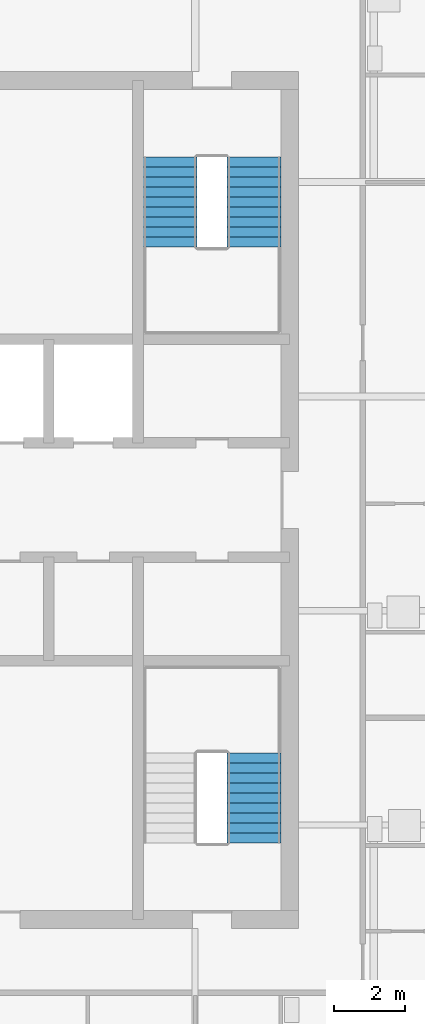
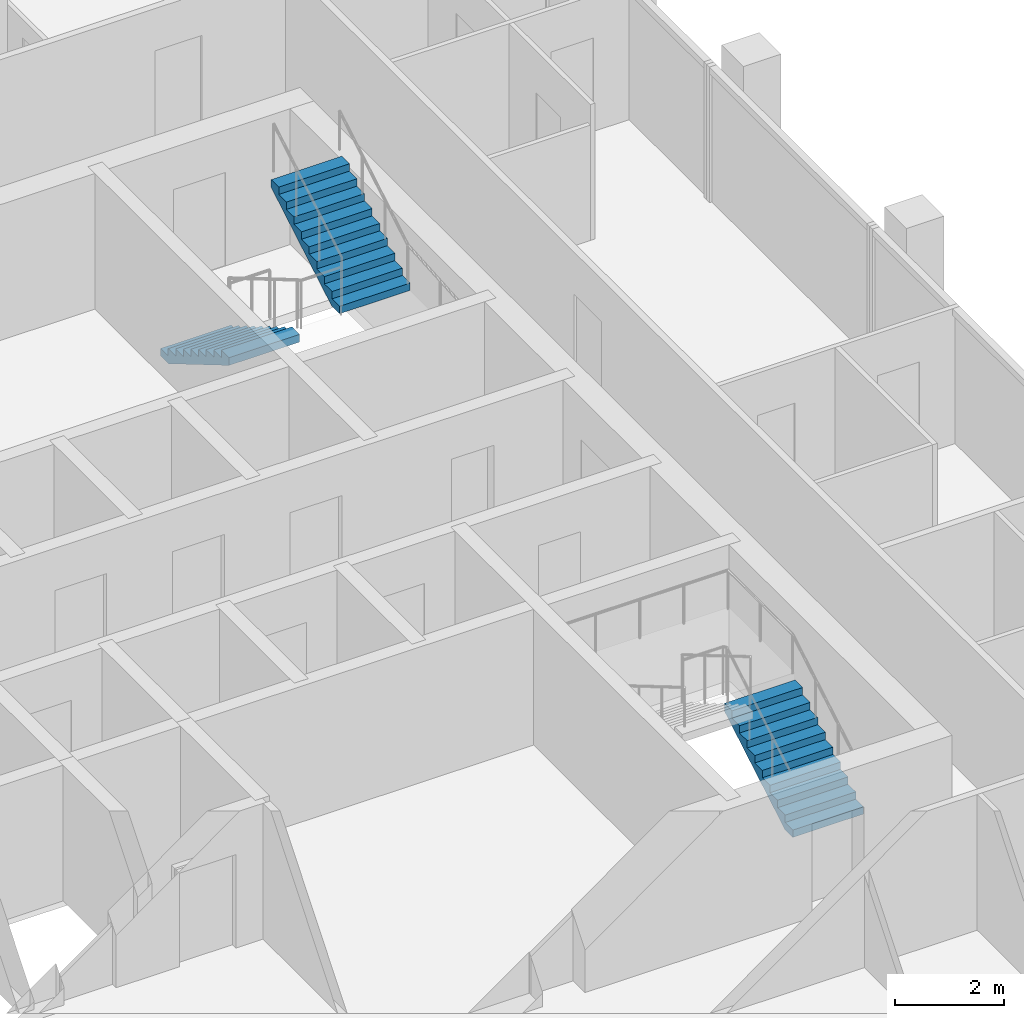
# One storey, part 11 of 13: 3 stair flights, 2 elements without a shape of their own.
"""IFC4 building model written with IfcOpenShell, lengths in metres."""

from ifc_helpers import new_model, si_unit, direction, frame, origin, place, context, subcontext, project, spatial, polyline, outline, extrude, material, type_object, element, aggregate, save


model = new_model("IFC4")

# Units and contexts
model_context = context("Model", 3, precision=1e-05, world=origin(), true_north=direction((0.0, 1.0)))
body_context = subcontext(model_context, "Body", "Model", "MODEL_VIEW")
ifc_project = project(units=[si_unit("LENGTHUNIT", "METRE"), si_unit("AREAUNIT", "SQUARE_METRE"), si_unit("VOLUMEUNIT", "CUBIC_METRE"), si_unit("PLANEANGLEUNIT", "RADIAN"), si_unit("MASSUNIT", "GRAM", prefix="KILO")], contexts=[model_context])

# Site, building, storey
site_placement = place(None, origin())
site = spatial("IfcSite", under=ifc_project, at=site_placement, CompositionType="ELEMENT")
building_placement = place(site_placement, origin())
building = spatial("IfcBuilding", under=site, at=building_placement, Name="Amberfall Residences", CompositionType="ELEMENT")
storey_placement = place(building_placement, frame((0.0, 0.0, 271.89990234375)))
storey = spatial("IfcBuildingStorey", under=building, at=storey_placement, Name="L73", CompositionType="ELEMENT", Elevation=271.89990234375)

# Stair, stair flight
ifc_material = material(Name="Concrete C40", Category="concrete")
stair_type = type_object("IfcStairType", Name="Exit stair 20 risers 165.0 mm", PredefinedType="HALF_TURN_STAIR", material=ifc_material)
stair_1_placement = place(storey_placement, origin())
stair_1 = element("IfcStair", 1, at=stair_1_placement, inside=storey, type_object=stair_type, Name="L73 Exit stair 2", PredefinedType="HALF_TURN_STAIR")
stair_flight_type = type_object("IfcStairFlightType", Name="Stair flight 10 risers 165.0 mm", PredefinedType="STRAIGHT", material=ifc_material)
stair_flight_1_placement = place(storey_placement, frame((85.25, 35.89990234375, 0.0), z_axis=(0.0, 0.0, 1.0), x_axis=(0.0, 1.0, 0.0)))
stair_flight_1 = element("IfcStairFlight", 2, at=stair_flight_1_placement, type_object=stair_flight_type, Name="ST3 flight 1", NumberOfRisers=10, NumberOfTreads=9, PredefinedType="STRAIGHT", RiserHeight=0.165, TreadLength=0.28, context=body_context, shape_type="SweptSolid", body=[
    extrude(outline(polyline([(0.0, 0.0), (0.0, 0.1650390625), (0.280029296875, 0.1650390625), (0.280029296875, 0.330078125), (0.56005859375, 0.330078125), (0.56005859375, 0.4951171875), (0.840087890625, 0.4951171875), (0.840087890625, 0.659912109375), (1.1201171875, 0.659912109375), (1.1201171875, 0.824951171875), (1.39990234375, 0.824951171875), (1.39990234375, 0.989990234375), (1.679931640625, 0.989990234375), (1.679931640625, 1.155029296875), (1.9599609375, 1.155029296875), (1.9599609375, 1.320068359375), (2.239990234375, 1.320068359375), (2.239990234375, 1.485107421875), (2.52001953125, 1.485107421875), (2.52001953125, 1.64990234375), (2.52001953125, 1.31103515625), (0.295166015625, 0.0), (0.0, 0.0)])), frame((0.0, 0.75, 0.0), z_axis=(0.0, -1.0, 0.0), x_axis=(1.0, 0.0, 0.0)), (0.0, 0.0, 1.0), 1.5),
])
aggregate(stair_1, [stair_flight_1])

# Stair, stair flights
stair_2_placement = place(storey_placement, origin())
stair_2 = element("IfcStair", 3, at=stair_2_placement, inside=storey, type_object=stair_type, Name="L73 Exit stair 3", PredefinedType="HALF_TURN_STAIR")
stair_flight_2_placement = place(storey_placement, frame((82.89990234375, 55.10009765625, 0.0), z_axis=(0.0, 0.0, 1.0), x_axis=(0.0, -1.0, 0.0)))
stair_flight_2 = element("IfcStairFlight", 4, at=stair_flight_2_placement, type_object=stair_flight_type, Name="ST3 flight 1", NumberOfRisers=10, NumberOfTreads=9, PredefinedType="STRAIGHT", RiserHeight=0.165, TreadLength=0.28, context=body_context, shape_type="SweptSolid", body=[
    extrude(outline(polyline([(0.0, 0.0), (0.0, 0.1650390625), (0.280029296875, 0.1650390625), (0.280029296875, 0.330078125), (0.56005859375, 0.330078125), (0.56005859375, 0.4951171875), (0.840087890625, 0.4951171875), (0.840087890625, 0.659912109375), (1.1201171875, 0.659912109375), (1.1201171875, 0.824951171875), (1.39990234375, 0.824951171875), (1.39990234375, 0.989990234375), (1.679931640625, 0.989990234375), (1.679931640625, 1.155029296875), (1.9599609375, 1.155029296875), (1.9599609375, 1.320068359375), (2.239990234375, 1.320068359375), (2.239990234375, 1.485107421875), (2.52001953125, 1.485107421875), (2.52001953125, 1.64990234375), (2.52001953125, 1.31103515625), (0.295166015625, 0.0), (0.0, 0.0)])), frame((0.0, 0.75, 0.0), z_axis=(0.0, -1.0, 0.0), x_axis=(1.0, 0.0, 0.0)), (0.0, 0.0, 1.0), 1.5),
])
stair_flight_3_placement = place(storey_placement, frame((85.25, 52.580078125, 1.650146484375), z_axis=(0.0, 0.0, 1.0), x_axis=(0.0, 1.0, 0.0)))
stair_flight_3 = element("IfcStairFlight", 5, at=stair_flight_3_placement, type_object=stair_flight_type, Name="ST3 flight 2", NumberOfRisers=10, NumberOfTreads=9, PredefinedType="STRAIGHT", RiserHeight=0.165, TreadLength=0.28, context=body_context, shape_type="SweptSolid", body=[
    extrude(outline(polyline([(0.0, 0.0), (0.0, 0.1650390625), (0.280029296875, 0.1650390625), (0.280029296875, 0.330078125), (0.56005859375, 0.330078125), (0.56005859375, 0.4951171875), (0.840087890625, 0.4951171875), (0.840087890625, 0.659912109375), (1.1201171875, 0.659912109375), (1.1201171875, 0.824951171875), (1.39990234375, 0.824951171875), (1.39990234375, 0.989990234375), (1.679931640625, 0.989990234375), (1.679931640625, 1.155029296875), (1.9599609375, 1.155029296875), (1.9599609375, 1.320068359375), (2.239990234375, 1.320068359375), (2.239990234375, 1.485107421875), (2.52001953125, 1.485107421875), (2.52001953125, 1.64990234375), (2.52001953125, 1.31103515625), (0.295166015625, 0.0), (0.0, 0.0)])), frame((0.0, 0.75, 0.0), z_axis=(0.0, -1.0, 0.0), x_axis=(1.0, 0.0, 0.0)), (0.0, 0.0, 1.0), 1.5),
])
aggregate(stair_2, [stair_flight_2, stair_flight_3])

save(model, "model.ifc")
